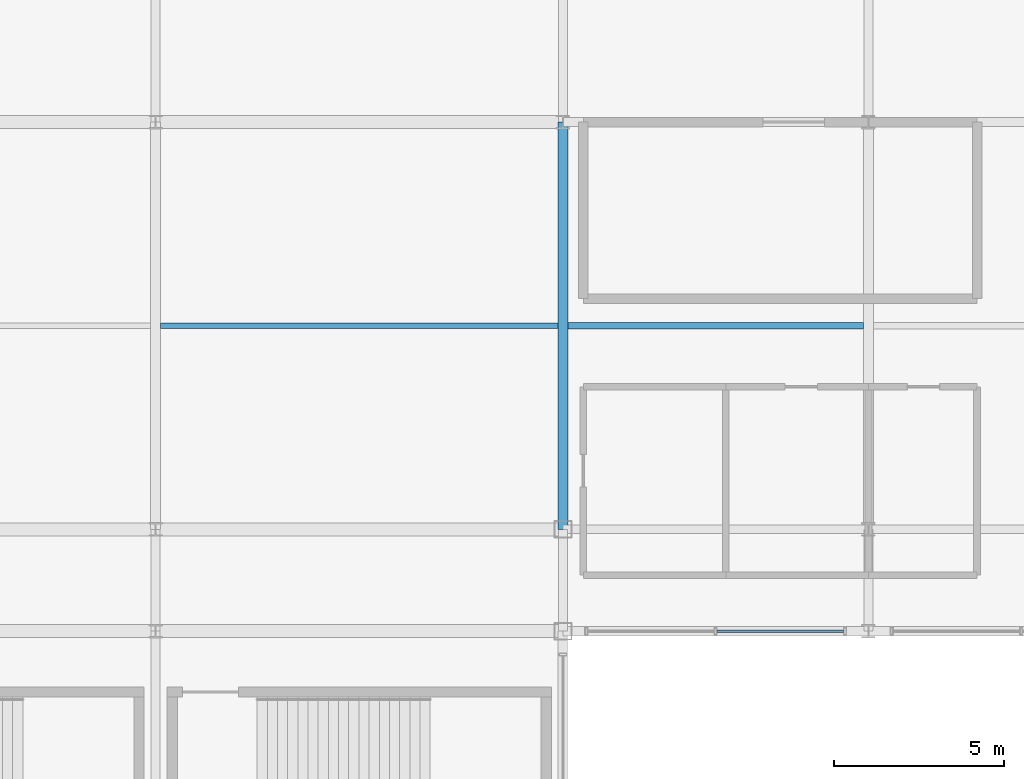
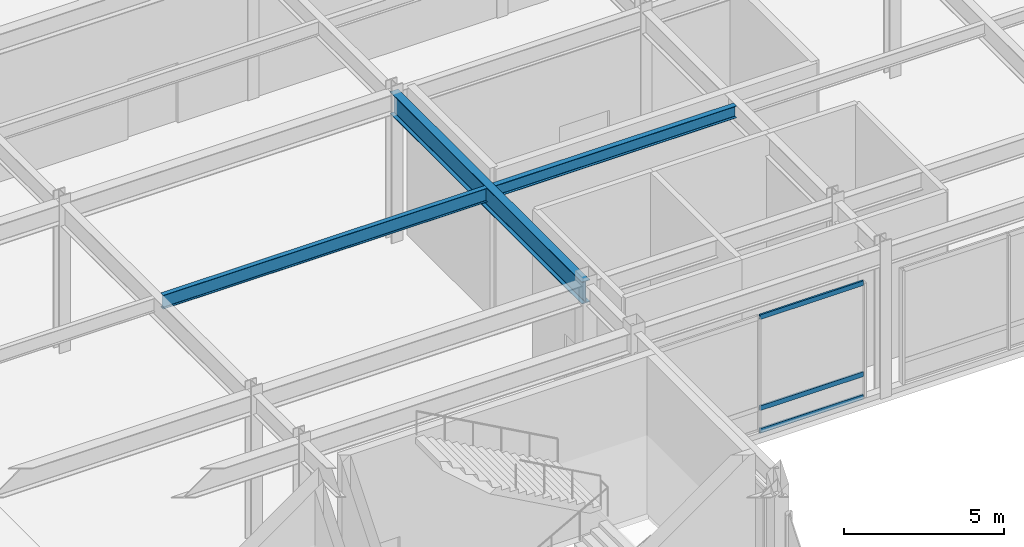
# One storey, part 56 of 105: 3 beams, 3 members, 1 element without a shape of its own.
"""IFC4 building model written with IfcOpenShell, lengths in metres."""

from ifc_helpers import new_model, si_unit, direction, frame, origin, origin_2d, place, context, subcontext, project, spatial, hollow_rectangle, i_section, extrude, material, material_profile, profile_set, type_object, element, aggregate, save


model = new_model("IFC4")

# Units and contexts
model_context = context("Model", 3, precision=1e-05, world=origin(), true_north=direction((0.0, 1.0)))
body_context = subcontext(model_context, "Body", "Model", "MODEL_VIEW")
ifc_project = project(units=[si_unit("LENGTHUNIT", "METRE"), si_unit("AREAUNIT", "SQUARE_METRE"), si_unit("VOLUMEUNIT", "CUBIC_METRE"), si_unit("PLANEANGLEUNIT", "RADIAN"), si_unit("MASSUNIT", "GRAM", prefix="KILO")], contexts=[model_context])

# Site, building, storey
site_placement = place(None, origin())
site = spatial("IfcSite", under=ifc_project, at=site_placement, CompositionType="ELEMENT")
building_placement = place(site_placement, origin())
building = spatial("IfcBuilding", under=site, at=building_placement, Name="Kaldorvane Square Convention Centre", CompositionType="ELEMENT")
storey_placement = place(building_placement, frame((0.0, 0.0, 6.0)))
storey = spatial("IfcBuildingStorey", under=building, at=storey_placement, Name="L01", CompositionType="ELEMENT", Elevation=6.0)

# Beams
ifc_material_1 = material(Name="Steel ASTM A992 Gr. 50", Category="steel")
ifc_material_profile_1 = material_profile(ifc_material_1, i_section(OverallWidth=0.292999267578125, OverallDepth=0.845794677734375, WebThickness=0.0153961181640625, FlangeThickness=0.0243988037109375, FilletRadius=0.0178070068359375, at=origin_2d()), Name="W33X141")
ifc_profile_set_1 = profile_set([ifc_material_profile_1], Name="Steel ASTM A992 Gr. 50")
beam_type_1 = type_object("IfcBeamType", Name="BM-GR-W33X141", PredefinedType="BEAM", material=ifc_profile_set_1)
beam_1_placement = place(storey_placement, frame((138.0, 84.0, 5.2530975341796875), z_axis=(0.0, 1.0, 0.0), x_axis=(-1.0, 0.0, 0.0)))
element("IfcBeam", 1, at=beam_1_placement, inside=storey, type_object=beam_type_1, Name="Transverse Girder (L01)", PredefinedType="BEAM", context=body_context, shape_type="SweptSolid", body=[
    extrude(i_section(OverallWidth=0.292999267578125, OverallDepth=0.845794677734375, WebThickness=0.0153961181640625, FlangeThickness=0.0243988037109375, FilletRadius=0.0178070068359375, at=origin_2d()), origin(), (0.0, 0.0, 1.0), 12.0),
])
ifc_material_profile_2 = material_profile(ifc_material_1, i_section(OverallWidth=0.1912994384765625, OverallDepth=0.4600067138671875, WebThickness=0.0099029541015625, FlangeThickness=0.0160064697265625, FilletRadius=0.01019287109375, at=origin_2d()), Name="W18X55")
ifc_profile_set_2 = profile_set([ifc_material_profile_2], Name="Steel ASTM A992 Gr. 50")
beam_type_2 = type_object("IfcBeamType", Name="BM-JS-W18X55", PredefinedType="JOIST", material=ifc_profile_set_2)
beam_2_placement = place(storey_placement, frame((138.14649963378906, 90.0, 5.4459991455078125), z_axis=(1.0, 0.0, 0.0), x_axis=(0.0, 1.0, 0.0)))
element("IfcBeam", 2, at=beam_2_placement, inside=storey, type_object=beam_type_2, Name="Secondary Floor Joist (L01)", PredefinedType="JOIST", context=body_context, shape_type="SweptSolid", body=[
    extrude(i_section(OverallWidth=0.1912994384765625, OverallDepth=0.4600067138671875, WebThickness=0.0099029541015625, FlangeThickness=0.0160064697265625, FilletRadius=0.01019287109375, at=origin_2d()), origin(), (0.0, 0.0, 1.0), 8.707000732421875),
])
ifc_material_profile_3 = material_profile(ifc_material_1, i_section(OverallWidth=0.1658935546875, OverallDepth=0.5290985107421875, WebThickness=0.00970458984375, FlangeThickness=0.0135955810546875, FilletRadius=0.0126953125, at=origin_2d()), Name="W21X50")
ifc_profile_set_3 = profile_set([ifc_material_profile_3], Name="Steel ASTM A992 Gr. 50")
beam_type_3 = type_object("IfcBeamType", Name="BM-JS-W21X50", PredefinedType="JOIST", material=ifc_profile_set_3)
beam_3_placement = place(storey_placement, frame((126.14649963378906, 90.0, 5.4114990234375), z_axis=(1.0, 0.0, 0.0), x_axis=(0.0, 1.0, 0.0)))
element("IfcBeam", 3, at=beam_3_placement, inside=storey, type_object=beam_type_3, Name="Secondary Floor Joist (L01)", PredefinedType="JOIST", context=body_context, shape_type="SweptSolid", body=[
    extrude(i_section(OverallWidth=0.1658935546875, OverallDepth=0.5290985107421875, WebThickness=0.00970458984375, FlangeThickness=0.0135955810546875, FilletRadius=0.0126953125, at=origin_2d()), origin(), (0.0, 0.0, 1.0), 11.707000732421875),
])

# Curtain wall, members
ifc_material_2 = material(Name="Anodized Aluminum and Low-E Insulated Glazing", Category="aluminium")
curtain_wall_type = type_object("IfcCurtainWallType", Name="CW-PTS-FC-60", PredefinedType="USERDEFINED", material=ifc_material_2)
curtain_wall_placement = place(storey_placement, origin())
curtain_wall = element("IfcCurtainWall", 4, at=curtain_wall_placement, inside=storey, type_object=curtain_wall_type, Name="Curtain Wall CW-07 (L01)", ObjectType="POINT SUPPORTED GLAZING", PredefinedType="USERDEFINED")
ifc_material_profile_4 = material_profile(ifc_material_2, hollow_rectangle(XDim=0.06500244140625, YDim=0.17999267578125, WallThickness=0.0034942626953125, at=origin_2d()), Name="CWT-180X65")
ifc_profile_set_4 = profile_set([ifc_material_profile_4], Name="Anodized Aluminum and Low-E Insulated Glazing")
member_type = type_object("IfcMemberType", Name="CW-TRN-180", PredefinedType="USERDEFINED", material=ifc_profile_set_4)
member_1_placement = place(storey_placement, frame((142.53750610351562, 81.0, 0.1824951171875), z_axis=(1.0, 0.0, 0.0), x_axis=(0.0, 1.0, 0.0)))
member_1 = element("IfcMember", 5, at=member_1_placement, type_object=member_type, Name="CW-07 transom 2.1", ObjectType="TRANSOM", PredefinedType="USERDEFINED", context=body_context, shape_type="SweptSolid", body=[
    extrude(hollow_rectangle(XDim=0.06500244140625, YDim=0.17999267578125, WallThickness=0.0034942626953125, at=origin_2d()), origin(), (0.0, 0.0, 1.0), 3.73748779296875),
])
member_2_placement = place(storey_placement, frame((142.53750610351562, 81.0, 1.0500030517578125), z_axis=(1.0, 0.0, 0.0), x_axis=(0.0, 1.0, 0.0)))
member_2 = element("IfcMember", 6, at=member_2_placement, type_object=member_type, Name="CW-07 transom 2.2", ObjectType="TRANSOM", PredefinedType="USERDEFINED", context=body_context, shape_type="SweptSolid", body=[
    extrude(hollow_rectangle(XDim=0.06500244140625, YDim=0.17999267578125, WallThickness=0.0034942626953125, at=origin_2d()), origin(), (0.0, 0.0, 1.0), 3.73748779296875),
])
member_3_placement = place(storey_placement, frame((142.53750610351562, 81.0, 4.527496337890625), z_axis=(1.0, 0.0, 0.0), x_axis=(0.0, 1.0, 0.0)))
member_3 = element("IfcMember", 7, at=member_3_placement, type_object=member_type, Name="CW-07 transom 2.3", ObjectType="TRANSOM", PredefinedType="USERDEFINED", context=body_context, shape_type="SweptSolid", body=[
    extrude(hollow_rectangle(XDim=0.06500244140625, YDim=0.17999267578125, WallThickness=0.0034942626953125, at=origin_2d()), origin(), (0.0, 0.0, 1.0), 3.73748779296875),
])
aggregate(curtain_wall, [member_1, member_2, member_3])

save(model, "model.ifc")
